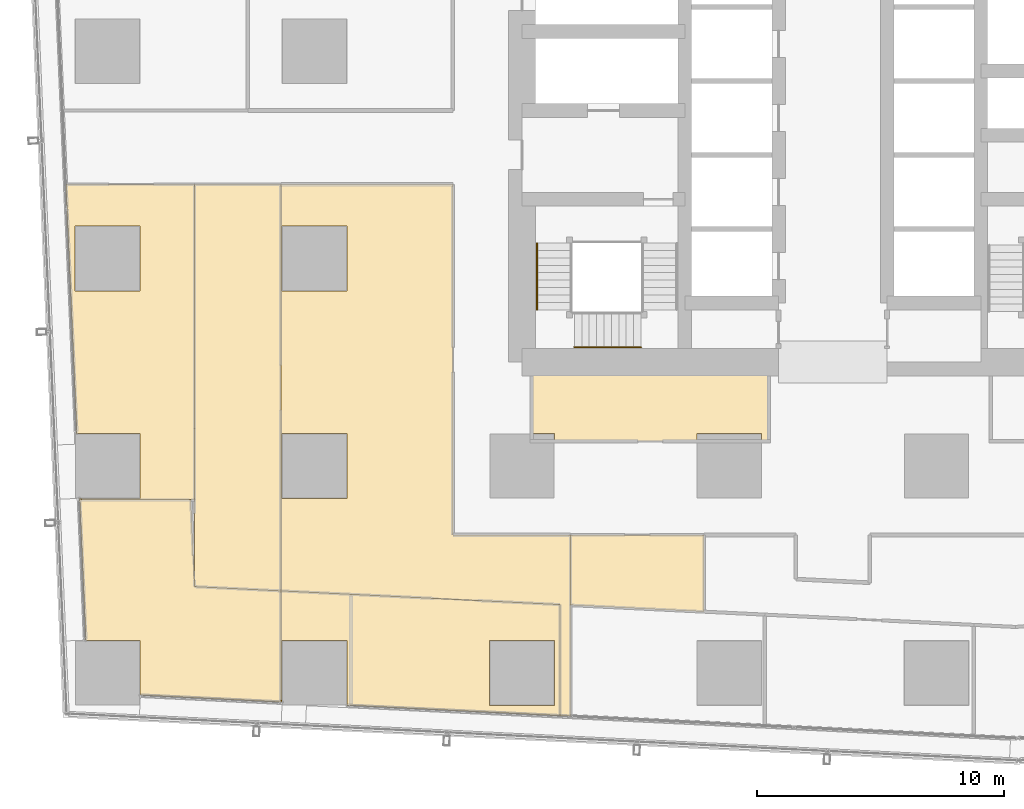
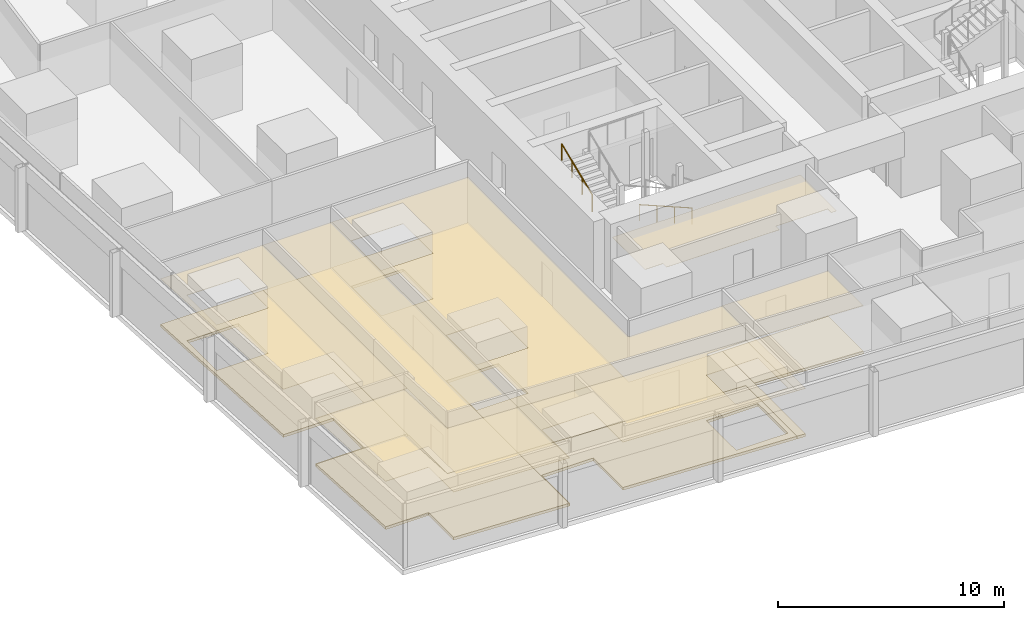
# One storey, part 38 of 46: 13 coverings, 2 railings.
"""IFC4 building model written with IfcOpenShell, lengths in metres."""

import ifcopenshell
import ifcopenshell.guid

model = None  # the IFC model being written
_history = None  # IfcOwnerHistory: only IFC2X3 demands one
_inside = {}  # id of a spatial element -> (the spatial element, [elements in it])
_under = {}  # id of a project, library or spatial element -> (it, [spatial elements below it])
_declared = {}  # id of a project -> (the project, [libraries it declares])
_typed = {}  # id of a type object -> (the type object, [elements of that type])
_made_of = {}  # id of a material, layer set ... -> (it, [elements and type objects made of it])


def new_model(schema):
    """Start an empty IFC model of exactly this schema.

    Asked for "IFC4X3", IfcOpenShell would pick the latest addendum, in which some entities
    have other attributes; the version numbers below select the first issue.
    IFC2X3 requires an IfcOwnerHistory on every rooted entity: one is made here for all.
    """
    global model, _history
    if schema == "IFC4X3":
        model = ifcopenshell.file(schema_version=(4, 3, 0, 0))
    else:
        model = ifcopenshell.file(schema=schema)
    _inside.clear()
    _under.clear()
    _declared.clear()
    _typed.clear()
    _made_of.clear()
    _history = None
    if model.schema == "IFC2X3":
        org = make("IfcOrganization", Name="unknown")
        user = make(
            "IfcPersonAndOrganization",
            ThePerson=make("IfcPerson", FamilyName="unknown"),
            TheOrganization=org,
        )
        app = make(
            "IfcApplication",
            ApplicationDeveloper=org,
            Version="unknown",
            ApplicationFullName="unknown",
            ApplicationIdentifier="unknown",
        )
        _history = make(
            "IfcOwnerHistory",
            OwningUser=user,
            OwningApplication=app,
            ChangeAction="ADDED",
            CreationDate=0,
        )
    return model


def make(cls, **values):
    """One entity of the class cls with the attributes given. An attribute that is None is left unset."""
    return model.create_entity(
        cls, **{name: value for name, value in values.items() if value is not None}
    )


def rooted(cls, **values):
    """An entity with a GlobalId (a new one), such as an element, a storey or a relation."""
    return make(cls, GlobalId=ifcopenshell.guid.new(), OwnerHistory=_history, **values)


def si_unit(unit_type, name, prefix=None):
    """IfcSIUnit, for example si_unit("LENGTHUNIT", "METRE", prefix="MILLI")."""
    return make("IfcSIUnit", UnitType=unit_type, Prefix=prefix, Name=name)


def assignment(units):
    """IfcUnitAssignment: the units of a project."""
    return None if units is None else make("IfcUnitAssignment", Units=units)


def point(xyz):
    """IfcCartesianPoint."""
    return None if xyz is None else make("IfcCartesianPoint", Coordinates=xyz)


def direction(xyz):
    """IfcDirection."""
    return None if xyz is None else make("IfcDirection", DirectionRatios=xyz)


def frame(location, z_axis=None, x_axis=None):
    """IfcAxis2Placement3D, a coordinate frame: its origin and axes. An axis left out is left unset."""
    return make(
        "IfcAxis2Placement3D",
        Location=point(location),
        Axis=direction(z_axis),
        RefDirection=direction(x_axis),
    )


def frame_2d(location, x_axis=None):
    """IfcAxis2Placement2D, a coordinate frame in the plane: its origin and x axis."""
    return make(
        "IfcAxis2Placement2D", Location=point(location), RefDirection=direction(x_axis)
    )


def origin():
    """The frame at (0, 0, 0) with its axes left unset."""
    return frame((0.0, 0.0, 0.0))


def origin_2d():
    """The frame at (0, 0) in the plane with its x axis left unset."""
    return frame_2d((0.0, 0.0))


def place(relative_to, where):
    """IfcLocalPlacement: puts the frame where relative to a parent placement (None: the world)."""
    return make(
        "IfcLocalPlacement", PlacementRelTo=relative_to, RelativePlacement=where
    )


def context(
    kind, dimensions, precision=None, world=None, true_north=None, identifier=None
):
    """IfcGeometricRepresentationContext, for example the 3D "Model" context."""
    return make(
        "IfcGeometricRepresentationContext",
        ContextIdentifier=identifier,
        ContextType=kind,
        CoordinateSpaceDimension=dimensions,
        Precision=precision,
        WorldCoordinateSystem=world,
        TrueNorth=true_north,
    )


def subcontext(parent, identifier, kind, view, scale=None):
    """IfcGeometricRepresentationSubContext, for example "Body" below "Model"."""
    return make(
        "IfcGeometricRepresentationSubContext",
        ContextIdentifier=identifier,
        ContextType=kind,
        ParentContext=parent,
        TargetScale=scale,
        TargetView=view,
    )


def project(units=None, contexts=None):
    """IfcProject with its units and contexts."""
    return rooted(
        "IfcProject",
        Name="project",
        RepresentationContexts=contexts,
        UnitsInContext=assignment(units),
    )


def spatial(cls, under=None, at=None, **own):
    """A site, building, storey or space (cls), placed at a placement, below another one or the project."""
    s = rooted(cls, ObjectPlacement=at, **own)
    if under is not None:
        _under.setdefault(under.id(), (under, []))[1].append(s)
    return s


def polyline(points):
    """IfcPolyline through the points."""
    return make("IfcPolyline", Points=[point(p) for p in points])


def profile(cls, at=None, kind="AREA", **sizes):
    """A parametric profile (cls). Its sizes go by their IFC names, for example OverallWidth=200.0."""
    return make(cls, ProfileType=kind, Position=at, **sizes)


def circle(**sizes):
    """IfcCircleProfileDef."""
    return profile("IfcCircleProfileDef", **sizes)


def outline(outer, holes=None, kind="AREA"):
    """IfcArbitraryClosedProfileDef: a profile drawn as a closed curve; with holes, ...WithVoids."""
    if holes is None:
        return make("IfcArbitraryClosedProfileDef", ProfileType=kind, OuterCurve=outer)
    return make(
        "IfcArbitraryProfileDefWithVoids",
        ProfileType=kind,
        OuterCurve=outer,
        InnerCurves=holes,
    )


def extrude(swept, where, along, depth):
    """IfcExtrudedAreaSolid: the profile swept, set in the frame where, extruded along a direction by depth."""
    return make(
        "IfcExtrudedAreaSolid",
        SweptArea=swept,
        Position=where,
        ExtrudedDirection=direction(along),
        Depth=depth,
    )


def shape(context_of_items, identifier, shape_type, items):
    """IfcShapeRepresentation: the items that make up one representation, for example the "Body"."""
    return make(
        "IfcShapeRepresentation",
        ContextOfItems=context_of_items,
        RepresentationIdentifier=identifier,
        RepresentationType=shape_type,
        Items=items,
    )


def material(Name=None, Category=None):
    """IfcMaterial."""
    return make("IfcMaterial", Name=Name, Category=Category)


def layer(
    of_material, thickness, ventilated=None, Name=None, Category=None, Priority=None
):
    """IfcMaterialLayer: one layer of a wall or slab, of a material (None: an air gap)."""
    return make(
        "IfcMaterialLayer",
        Material=of_material,
        LayerThickness=thickness,
        IsVentilated=ventilated,
        Name=Name,
        Category=Category,
        Priority=Priority,
    )


def layer_set(layers, Name=None):
    """IfcMaterialLayerSet."""
    return make("IfcMaterialLayerSet", MaterialLayers=layers, LayerSetName=Name)


def made_of(thing, what):
    """Note that an element or type object is made of a material, layer set ...; save() writes the relation."""
    if what is not None:
        _made_of.setdefault(what.id(), (what, []))[1].append(thing)
    return thing


def type_object(cls, material=None, **own):
    """A type object (cls), such as IfcWallType, which elements share."""
    return made_of(rooted(cls, **own), material)


def element(
    cls,
    number,
    at=None,
    inside=None,
    cuts=None,
    type_object=None,
    material=None,
    context=None,
    identifier="Body",
    shape_type=None,
    held_by="IfcProductDefinitionShape",
    body=None,
    shapes=None,
    **own,
):
    """One element of the class cls, such as IfcWall. Its Tag is "e" and its number.

    at: its placement. inside: the storey or other place that contains it. cuts: it is an
    opening in that element (IfcRelVoidsElement). A single representation is given by context,
    identifier, shape_type and body (its items); several are given by shapes. held_by: the class
    of the entity that holds the representations. save() writes the other relations.
    """
    e = rooted(cls, Tag="e%d" % number, ObjectPlacement=at, **own)
    if body is not None:
        shapes = [shape(context, identifier, shape_type, body)]
    if shapes is not None:
        e.Representation = make(held_by, Representations=shapes)
    if inside is not None:
        _inside.setdefault(inside.id(), (inside, []))[1].append(e)
    if cuts is not None:
        rooted(
            "IfcRelVoidsElement", RelatingBuildingElement=cuts, RelatedOpeningElement=e
        )
    if type_object is not None:
        _typed.setdefault(type_object.id(), (type_object, []))[1].append(e)
    return made_of(e, material)


def aggregate(whole, parts):
    """IfcRelAggregates: a whole, such as a stair, and the parts it consists of."""
    return rooted("IfcRelAggregates", RelatingObject=whole, RelatedObjects=parts)


def save(model, path):
    """Write the relations noted so far, then the file.

    IfcRelAggregates (storeys below a building ...), IfcRelContainedInSpatialStructure (elements
    in a storey), IfcRelDefinesByType, IfcRelAssociatesMaterial and IfcRelDeclares: one each for
    every whole, place, type object, material and project.
    """
    for whole, parts in _under.values():
        aggregate(whole, parts)
    for where, things in _inside.values():
        rooted(
            "IfcRelContainedInSpatialStructure",
            RelatedElements=things,
            RelatingStructure=where,
        )
    for kind, things in _typed.values():
        rooted("IfcRelDefinesByType", RelatedObjects=things, RelatingType=kind)
    for what, things in _made_of.values():
        rooted("IfcRelAssociatesMaterial", RelatedObjects=things, RelatingMaterial=what)
    for by, libraries in _declared.values():
        rooted("IfcRelDeclares", RelatingContext=by, RelatedDefinitions=libraries)
    model.write(path)


model = new_model("IFC4")

# Units and contexts
model_context = context("Model", 3, precision=1e-05, world=origin(), true_north=direction((0.0, 1.0)))
body_context = subcontext(model_context, "Body", "Model", "MODEL_VIEW")
ifc_project = project(units=[si_unit("LENGTHUNIT", "METRE"), si_unit("AREAUNIT", "SQUARE_METRE"), si_unit("VOLUMEUNIT", "CUBIC_METRE"), si_unit("PLANEANGLEUNIT", "RADIAN"), si_unit("MASSUNIT", "GRAM", prefix="KILO")], contexts=[model_context])

# Site, building, storey
site_placement = place(None, origin())
site = spatial("IfcSite", under=ifc_project, at=site_placement, CompositionType="ELEMENT")
building_placement = place(site_placement, origin())
building = spatial("IfcBuilding", under=site, at=building_placement, Name="Rekha Terrace Tower", CompositionType="ELEMENT")
storey_placement = place(building_placement, frame((0.0, 0.0, 29.14990234375)))
storey = spatial("IfcBuildingStorey", under=building, at=storey_placement, Name="L06", CompositionType="ELEMENT", Elevation=29.14990234375)

# Coverings
ifc_material_1 = material(Name="Mineral fibre tile in exposed grid", Category="finish")
ifc_layer_1 = layer(ifc_material_1, 0.02001953125)
ifc_layer_set_1 = layer_set([ifc_layer_1], Name="Mineral fibre tile in exposed grid")
covering_type_1 = type_object("IfcCoveringType", Name="CL1 600x1200 office grid ceiling", PredefinedType="CEILING", material=ifc_layer_set_1)
covering_1_placement = place(storey_placement, frame((0.0, 0.0, 2.580078125)))
element("IfcCovering", 1, at=covering_1_placement, inside=storey, type_object=covering_type_1, Name="Ceiling L06-04", PredefinedType="CEILING", context=body_context, shape_type="SweptSolid", body=[
    extrude(outline(polyline([(32.571044921875, 10.89111328125), (32.571044921875, 14.0), (27.1708984375, 14.0), (27.1708984375, 11.156005859375), (32.571044921875, 10.89111328125)])), origin(), (0.0, 0.0, 1.0), 0.02001953125),
])
covering_2_placement = place(storey_placement, frame((0.0, 0.0, 2.580078125)))
element("IfcCovering", 2, at=covering_2_placement, inside=storey, type_object=covering_type_1, Name="Ceiling L06-11", PredefinedType="CEILING", context=body_context, shape_type="SweptSolid", body=[
    extrude(outline(polyline([(7.27294921875, 15.485107421875), (7.27490234375, 15.443115234375), (11.93408203125, 15.443115234375), (11.93408203125, 28.199951171875), (6.717041015625, 28.199951171875), (6.784912109375, 26.64794921875), (7.14892578125, 18.31591796875), (7.157958984375, 18.114990234375), (9.715087890625, 18.114990234375), (9.715087890625, 15.485107421875), (7.27294921875, 15.485107421875)]), holes=[polyline([(9.715087890625, 23.885009765625), (7.0849609375, 23.885009765625), (7.0849609375, 26.514892578125), (9.715087890625, 26.514892578125), (9.715087890625, 23.885009765625)])]), origin(), (0.0, 0.0, 1.0), 0.02001953125),
])
covering_3_placement = place(storey_placement, frame((0.0, 0.0, 2.580078125)))
element("IfcCovering", 3, at=covering_3_placement, inside=storey, type_object=covering_type_1, Name="Ceiling L06-12", PredefinedType="CEILING", context=body_context, shape_type="SweptSolid", body=[
    extrude(outline(polyline([(11.93408203125, 11.904052734375), (11.779052734375, 15.443115234375), (7.27490234375, 15.443115234375), (7.52490234375, 9.715087890625), (9.715087890625, 9.715087890625), (9.715087890625, 7.508056640625), (15.44189453125, 7.22705078125), (15.44189453125, 11.73193359375), (11.93408203125, 11.904052734375)])), origin(), (0.0, 0.0, 1.0), 0.02001953125),
])
covering_4_placement = place(storey_placement, frame((0.0, 0.0, 2.580078125)))
element("IfcCovering", 4, at=covering_4_placement, inside=storey, type_object=covering_type_1, Name="Ceiling L06-13", PredefinedType="CEILING", context=body_context, shape_type="SweptSolid", body=[
    extrude(outline(polyline([(26.7470703125, 11.177001953125), (18.27392578125, 11.593017578125), (15.443115234375, 11.73193359375), (15.443115234375, 7.22705078125), (15.485107421875, 7.22509765625), (15.485107421875, 9.715087890625), (18.114990234375, 9.715087890625), (18.114990234375, 7.095947265625), (18.27294921875, 7.087890625), (26.7470703125, 6.672119140625), (26.7470703125, 11.177001953125)]), holes=[polyline([(26.514892578125, 9.715087890625), (26.514892578125, 7.0849609375), (23.885009765625, 7.0849609375), (23.885009765625, 9.715087890625), (26.514892578125, 9.715087890625)])]), origin(), (0.0, 0.0, 1.0), 0.02001953125),
])
covering_5_placement = place(storey_placement, frame((0.0, 0.0, 2.580078125)))
element("IfcCovering", 5, at=covering_5_placement, inside=storey, type_object=covering_type_1, Name="Ceiling L06-15", PredefinedType="CEILING", context=body_context, shape_type="SweptSolid", body=[
    extrude(outline(polyline([(15.44189453125, 11.73193359375), (15.44189453125, 28.199951171875), (11.93408203125, 28.199951171875), (11.93408203125, 11.904052734375), (15.44189453125, 11.73193359375)])), origin(), (0.0, 0.0, 1.0), 0.02001953125),
])
covering_6_placement = place(storey_placement, frame((0.0, 0.0, 2.580078125)))
element("IfcCovering", 6, at=covering_6_placement, inside=storey, type_object=covering_type_1, Name="Ceiling L06-O5", PredefinedType="CEILING", context=body_context, shape_type="SweptSolid", body=[
    extrude(outline(polyline([(15.44189453125, 28.199951171875), (15.44189453125, 11.73193359375), (18.27490234375, 11.593017578125), (26.7470703125, 11.177001953125), (26.7470703125, 6.672119140625), (27.169921875, 6.65087890625), (27.169921875, 14.0), (22.39990234375, 14.0), (22.39990234375, 28.199951171875), (15.44189453125, 28.199951171875)]), holes=[polyline([(18.114990234375, 15.485107421875), (15.485107421875, 15.485107421875), (15.485107421875, 18.114990234375), (18.114990234375, 18.114990234375), (18.114990234375, 15.485107421875)]), polyline([(18.114990234375, 23.885009765625), (15.485107421875, 23.885009765625), (15.485107421875, 26.514892578125), (18.114990234375, 26.514892578125), (18.114990234375, 23.885009765625)])]), origin(), (0.0, 0.0, 1.0), 0.02001953125),
])
ifc_material_2 = material(Name="Fibre cement board", Category="finish")
ifc_layer_2 = layer(ifc_material_2, 0.014892578125)
ifc_layer_set_2 = layer_set([ifc_layer_2], Name="Fibre cement board")
covering_type_2 = type_object("IfcCoveringType", Name="CL2 moisture-resistant board ceiling", PredefinedType="CEILING", material=ifc_layer_set_2)
covering_7_placement = place(storey_placement, frame((0.0, 0.0, 2.585205078125)))
element("IfcCovering", 7, at=covering_7_placement, inside=storey, type_object=covering_type_2, Name="Ceiling L06-WCM", PredefinedType="CEILING", context=body_context, shape_type="SweptSolid", body=[
    extrude(outline(polyline([(35.199951171875, 21.0), (25.60009765625, 21.0), (25.60009765625, 18.114990234375), (26.514892578125, 18.114990234375), (26.514892578125, 17.800048828125), (32.284912109375, 17.800048828125), (32.284912109375, 18.114990234375), (34.9150390625, 18.114990234375), (34.9150390625, 17.800048828125), (35.199951171875, 17.800048828125), (35.199951171875, 21.0)])), origin(), (0.0, 0.0, 1.0), 0.014892578125),
])

# Railings
ifc_material_3 = material(Name="Stainless steel tube", Category="steel")
railing_type = type_object("IfcRailingType", Name="HR1 900 stair handrail", PredefinedType="HANDRAIL", material=ifc_material_3)
railing_1_placement = place(storey_placement, frame((30.02490234375, 21.610107421875, 1.375)))
element("IfcRailing", 8, at=railing_1_placement, inside=storey, type_object=railing_type, Name="Handrail ST1 L06 flight 2", PredefinedType="HANDRAIL", context=body_context, shape_type="SweptSolid", body=[
    extrude(circle(Radius=0.02392578125, at=origin_2d()), frame((0.0, 0.0, 0.8759765625), z_axis=(-0.923074453586, 0.0, 0.384621311341), x_axis=(0.0, -1.0, 0.0)), (0.0, 0.0, 1.0), 2.925048828125),
    extrude(circle(Radius=0.02099609375, at=origin_2d()), origin(), (0.0, 0.0, 1.0), 0.851806640625),
    extrude(circle(Radius=0.02099609375, at=origin_2d()), frame((-0.89990234375, 0.0, 0.375)), (0.0, 0.0, 1.0), 0.851806640625),
    extrude(circle(Radius=0.02099609375, at=origin_2d()), frame((-1.800048828125, 0.0, 0.75)), (0.0, 0.0, 1.0), 0.851806640625),
    extrude(circle(Radius=0.02099609375, at=origin_2d()), frame((-2.699951171875, 0.0, 1.125)), (0.0, 0.0, 1.0), 0.851806640625),
])
railing_2_placement = place(storey_placement, frame((25.81005859375, 23.125, 2.625)))
element("IfcRailing", 9, at=railing_2_placement, inside=storey, type_object=railing_type, Name="Handrail ST1 L06 flight 3", PredefinedType="HANDRAIL", context=body_context, shape_type="SweptSolid", body=[
    extrude(circle(Radius=0.02392578125, at=origin_2d()), frame((0.0, 0.0, 0.8759765625), z_axis=(0.0, 0.923074453586, 0.384621311341), x_axis=(-1.0, 0.0, 0.0)), (0.0, 0.0, 1.0), 2.925048828125),
    extrude(circle(Radius=0.02099609375, at=origin_2d()), origin(), (0.0, 0.0, 1.0), 0.851806640625),
    extrude(circle(Radius=0.02099609375, at=origin_2d()), frame((0.0, 0.89990234375, 0.375)), (0.0, 0.0, 1.0), 0.851806640625),
    extrude(circle(Radius=0.02099609375, at=origin_2d()), frame((0.0, 1.800048828125, 0.75)), (0.0, 0.0, 1.0), 0.851806640625),
    extrude(circle(Radius=0.02099609375, at=origin_2d()), frame((0.0, 2.699951171875, 1.125)), (0.0, 0.0, 1.0), 0.851806640625),
])

# Coverings
ifc_material_4 = material(Name="Calcium sulphate panels on steel pedestals", Category="steel")
ifc_layer_3 = layer(ifc_material_4, 0.14990234375)
ifc_layer_set_3 = layer_set([ifc_layer_3], Name="Calcium sulphate panels on steel pedestals")
covering_type_3 = type_object("IfcCoveringType", Name="RF1 150 raised access floor", PredefinedType="FLOORING", material=ifc_layer_set_3)
covering_8_placement = place(storey_placement, origin())
element("IfcCovering", 10, at=covering_8_placement, inside=storey, type_object=covering_type_3, Name="Raised floor L06-04", PredefinedType="FLOORING", context=body_context, shape_type="SweptSolid", body=[
    extrude(outline(polyline([(32.571044921875, 10.89111328125), (32.571044921875, 14.0), (27.1708984375, 14.0), (27.1708984375, 11.156005859375), (32.571044921875, 10.89111328125)])), origin(), (0.0, 0.0, 1.0), 0.150146484375),
])
covering_9_placement = place(storey_placement, origin())
element("IfcCovering", 11, at=covering_9_placement, inside=storey, type_object=covering_type_3, Name="Raised floor L06-11", PredefinedType="FLOORING", context=body_context, shape_type="SweptSolid", body=[
    extrude(outline(polyline([(7.27294921875, 15.485107421875), (7.27490234375, 15.443115234375), (11.93408203125, 15.443115234375), (11.93408203125, 28.199951171875), (6.717041015625, 28.199951171875), (6.784912109375, 26.64794921875), (7.14892578125, 18.31591796875), (7.157958984375, 18.114990234375), (9.715087890625, 18.114990234375), (9.715087890625, 15.485107421875), (7.27294921875, 15.485107421875)]), holes=[polyline([(9.715087890625, 23.885009765625), (7.0849609375, 23.885009765625), (7.0849609375, 26.514892578125), (9.715087890625, 26.514892578125), (9.715087890625, 23.885009765625)])]), origin(), (0.0, 0.0, 1.0), 0.150146484375),
])
covering_10_placement = place(storey_placement, origin())
element("IfcCovering", 12, at=covering_10_placement, inside=storey, type_object=covering_type_3, Name="Raised floor L06-12", PredefinedType="FLOORING", context=body_context, shape_type="SweptSolid", body=[
    extrude(outline(polyline([(11.93408203125, 11.904052734375), (11.779052734375, 15.443115234375), (7.27490234375, 15.443115234375), (7.52490234375, 9.715087890625), (9.715087890625, 9.715087890625), (9.715087890625, 7.508056640625), (15.44189453125, 7.22705078125), (15.44189453125, 11.73193359375), (11.93408203125, 11.904052734375)])), origin(), (0.0, 0.0, 1.0), 0.150146484375),
])
covering_11_placement = place(storey_placement, origin())
element("IfcCovering", 13, at=covering_11_placement, inside=storey, type_object=covering_type_3, Name="Raised floor L06-13", PredefinedType="FLOORING", context=body_context, shape_type="SweptSolid", body=[
    extrude(outline(polyline([(26.7470703125, 11.177001953125), (18.27392578125, 11.593017578125), (15.443115234375, 11.73193359375), (15.443115234375, 7.22705078125), (15.485107421875, 7.22509765625), (15.485107421875, 9.715087890625), (18.114990234375, 9.715087890625), (18.114990234375, 7.095947265625), (18.27294921875, 7.087890625), (26.7470703125, 6.672119140625), (26.7470703125, 11.177001953125)]), holes=[polyline([(26.514892578125, 9.715087890625), (26.514892578125, 7.0849609375), (23.885009765625, 7.0849609375), (23.885009765625, 9.715087890625), (26.514892578125, 9.715087890625)])]), origin(), (0.0, 0.0, 1.0), 0.150146484375),
])
covering_12_placement = place(storey_placement, origin())
element("IfcCovering", 14, at=covering_12_placement, inside=storey, type_object=covering_type_3, Name="Raised floor L06-15", PredefinedType="FLOORING", context=body_context, shape_type="SweptSolid", body=[
    extrude(outline(polyline([(15.44189453125, 11.73193359375), (15.44189453125, 28.199951171875), (11.93408203125, 28.199951171875), (11.93408203125, 11.904052734375), (15.44189453125, 11.73193359375)])), origin(), (0.0, 0.0, 1.0), 0.150146484375),
])
covering_13_placement = place(storey_placement, origin())
element("IfcCovering", 15, at=covering_13_placement, inside=storey, type_object=covering_type_3, Name="Raised floor L06-O5", PredefinedType="FLOORING", context=body_context, shape_type="SweptSolid", body=[
    extrude(outline(polyline([(15.44189453125, 28.199951171875), (15.44189453125, 11.73193359375), (18.27490234375, 11.593017578125), (26.7470703125, 11.177001953125), (26.7470703125, 6.672119140625), (27.169921875, 6.65087890625), (27.169921875, 14.0), (22.39990234375, 14.0), (22.39990234375, 28.199951171875), (15.44189453125, 28.199951171875)]), holes=[polyline([(18.114990234375, 15.485107421875), (15.485107421875, 15.485107421875), (15.485107421875, 18.114990234375), (18.114990234375, 18.114990234375), (18.114990234375, 15.485107421875)]), polyline([(18.114990234375, 23.885009765625), (15.485107421875, 23.885009765625), (15.485107421875, 26.514892578125), (18.114990234375, 26.514892578125), (18.114990234375, 23.885009765625)])]), origin(), (0.0, 0.0, 1.0), 0.150146484375),
])

save(model, "model.ifc")
